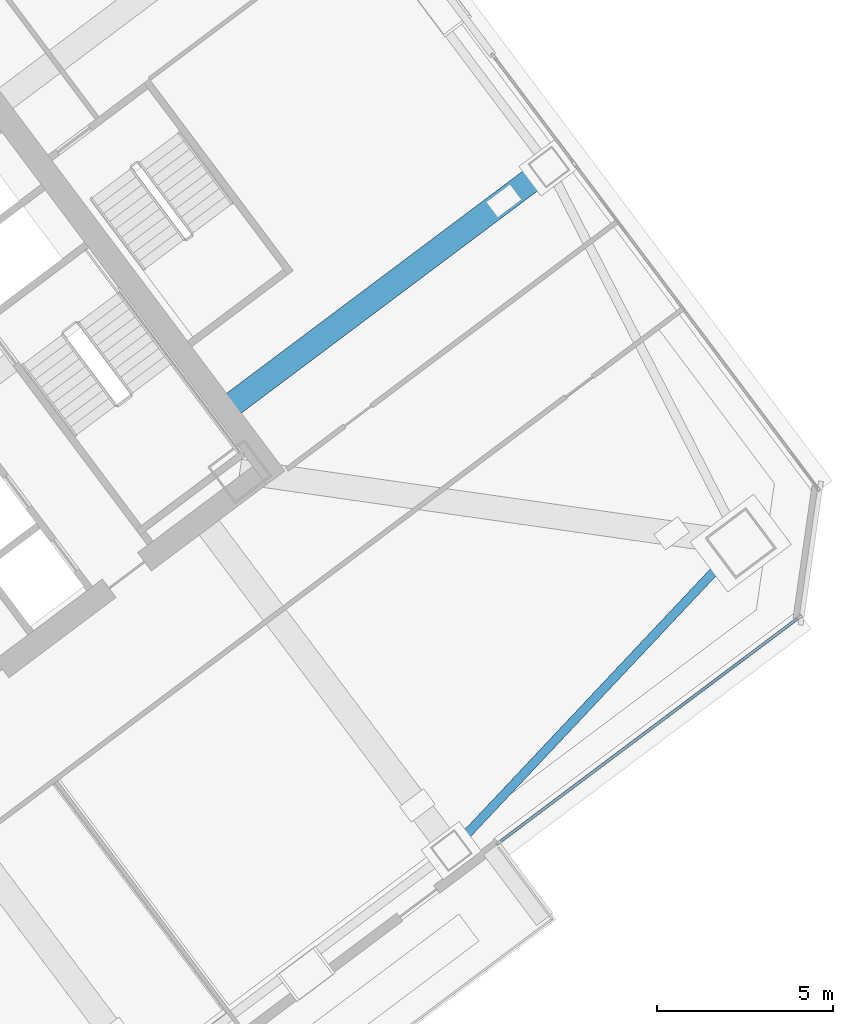
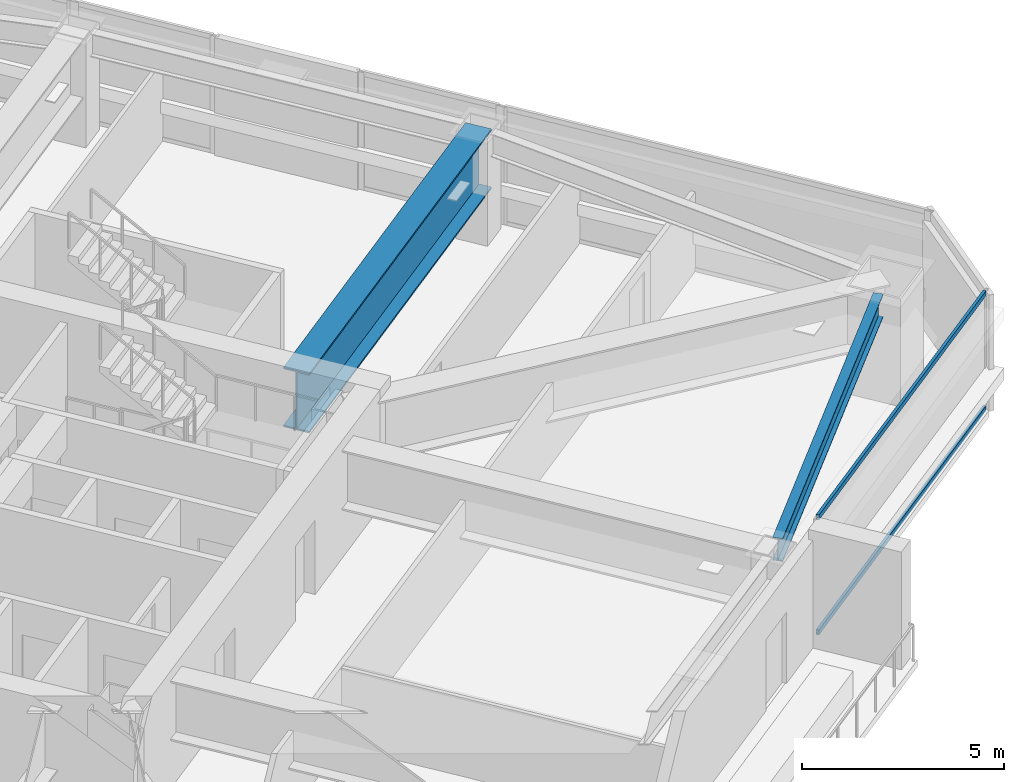
# One storey, part 27 of 49: 2 beams, 2 members, 1 element without a shape of its own.
"""IFC4 building model written with IfcOpenShell, lengths in metres."""

from ifc_helpers import new_model, si_unit, direction, frame, origin, origin_2d, place, context, subcontext, project, spatial, hollow_rectangle, i_section, extrude, material, material_profile, profile_set, type_object, element, aggregate, save


model = new_model("IFC4")

# Units and contexts
model_context = context("Model", 3, precision=1e-05, world=origin(), true_north=direction((0.0, 1.0)))
body_context = subcontext(model_context, "Body", "Model", "MODEL_VIEW")
ifc_project = project(units=[si_unit("LENGTHUNIT", "METRE"), si_unit("AREAUNIT", "SQUARE_METRE"), si_unit("VOLUMEUNIT", "CUBIC_METRE"), si_unit("PLANEANGLEUNIT", "RADIAN"), si_unit("MASSUNIT", "GRAM", prefix="KILO")], contexts=[model_context])

# Site, building, storey
site_placement = place(None, origin())
site = spatial("IfcSite", under=ifc_project, at=site_placement, CompositionType="ELEMENT")
building_placement = place(site_placement, origin())
building = spatial("IfcBuilding", under=site, at=building_placement, Name="Tashvorn Skyway Center", CompositionType="ELEMENT")
storey_placement = place(building_placement, frame((0.0, 0.0, 106.25)))
storey = spatial("IfcBuildingStorey", under=building, at=storey_placement, Name="L28", CompositionType="ELEMENT", Elevation=106.25)

# Beams
ifc_material_1 = material(Name="Steel ASTM A572 Grade 50", Category="steel")
ifc_material_profile_1 = material_profile(ifc_material_1, i_section(OverallWidth=0.699951171875, OverallDepth=1.800048828125, WebThickness=0.031982421875, FlangeThickness=0.050048828125, at=origin_2d()), Name="PG1800x700")
ifc_profile_set_1 = profile_set([ifc_material_profile_1], Name="Steel ASTM A572 Grade 50")
beam_type_1 = type_object("IfcBeamType", Name="BM-BEAM-PG1800x700", PredefinedType="BEAM", material=ifc_profile_set_1)
beam_1_placement = place(storey_placement, frame((132.639892578125, 39.22998046875, 2.35009765625), z_axis=(-0.799989782901, -0.600013622557, 0.0), x_axis=(0.600013622557, -0.799989782901, 0.0)))
element("IfcBeam", 1, at=beam_1_placement, inside=storey, type_object=beam_type_1, Name="Tower 2 L28 Setback Transfer Girder FC-E1", PredefinedType="BEAM", context=body_context, shape_type="SweptSolid", body=[
    extrude(i_section(OverallWidth=0.699951171875, OverallDepth=1.800048828125, WebThickness=0.031982421875, FlangeThickness=0.050048828125, at=origin_2d()), origin(), (0.0, 0.0, 1.0), 11.469970703125),
])
ifc_material_2 = material(Name="Steel ASTM A992 Grade 50", Category="steel")
ifc_material_profile_2 = material_profile(ifc_material_2, i_section(OverallWidth=0.256103515625, OverallDepth=0.693115234375, WebThickness=0.014404296875, FlangeThickness=0.023681640625, at=origin_2d()), Name="W27X114")
ifc_profile_set_2 = profile_set([ifc_material_profile_2], Name="Steel ASTM A992 Grade 50")
beam_type_2 = type_object("IfcBeamType", Name="BM-SPANDREL-W27X114", PredefinedType="SPANDREL", material=ifc_profile_set_2)
beam_2_placement = place(storey_placement, frame((130.157958984375, 20.145751953125, 2.903564453125), z_axis=(0.685484857238, 0.728086883893, 0.0), x_axis=(-0.728086883893, 0.685484857238, 0.0)))
element("IfcBeam", 2, at=beam_2_placement, inside=storey, type_object=beam_type_2, Name="Tower 2 L28 Spandrel Beam 03", PredefinedType="SPANDREL", context=body_context, shape_type="SweptSolid", body=[
    extrude(i_section(OverallWidth=0.256103515625, OverallDepth=0.693115234375, WebThickness=0.014404296875, FlangeThickness=0.023681640625, at=origin_2d()), origin(), (0.0, 0.0, 1.0), 10.8369140625),
])

# Curtain wall, members
ifc_material_3 = material(Name="Thermally broken bronze-anodized aluminium 6063-T6", Category="aluminium")
curtain_wall_type = type_object("IfcCurtainWallType", Name="CW-CW-Z2", PredefinedType="NOTDEFINED", material=ifc_material_3)
curtain_wall_placement = place(storey_placement, origin())
curtain_wall = element("IfcCurtainWall", 3, at=curtain_wall_placement, inside=storey, type_object=curtain_wall_type, Name="Tower 2 L28 South Curtain Wall L", PredefinedType="NOTDEFINED")
ifc_material_profile_3 = material_profile(ifc_material_3, hollow_rectangle(XDim=0.080078125, YDim=0.14990234375, WallThickness=0.00439453125, at=origin_2d()), Name="ALU-TRAN-80x150")
ifc_profile_set_3 = profile_set([ifc_material_profile_3], Name="Thermally broken bronze-anodized aluminium 6063-T6")
member_type = type_object("IfcMemberType", Name="CWT-CW-Z2", PredefinedType="USERDEFINED", material=ifc_profile_set_3)
member_1_placement = place(storey_placement, frame((139.68798828125, 26.416015625, 0.0400390625), z_axis=(-0.8, -0.6, 0.0), x_axis=(0.6, -0.8, 0.0)))
member_1 = element("IfcMember", 4, at=member_1_placement, type_object=member_type, Name="CW-Z2 transom 1.1", ObjectType="TRANSOM", PredefinedType="USERDEFINED", context=body_context, shape_type="SweptSolid", body=[
    extrude(hollow_rectangle(XDim=0.080078125, YDim=0.14990234375, WallThickness=0.00439453125, at=origin_2d()), origin(), (0.0, 0.0, 1.0), 10.52001953125),
])
member_2_placement = place(storey_placement, frame((139.68798828125, 26.416015625, 3.510009765625), z_axis=(-0.8, -0.6, 0.0), x_axis=(0.6, -0.8, 0.0)))
member_2 = element("IfcMember", 5, at=member_2_placement, type_object=member_type, Name="CW-Z2 transom 1.2", ObjectType="TRANSOM", PredefinedType="USERDEFINED", context=body_context, shape_type="SweptSolid", body=[
    extrude(hollow_rectangle(XDim=0.080078125, YDim=0.14990234375, WallThickness=0.00439453125, at=origin_2d()), origin(), (0.0, 0.0, 1.0), 10.52001953125),
])
aggregate(curtain_wall, [member_1, member_2])

save(model, "model.ifc")
